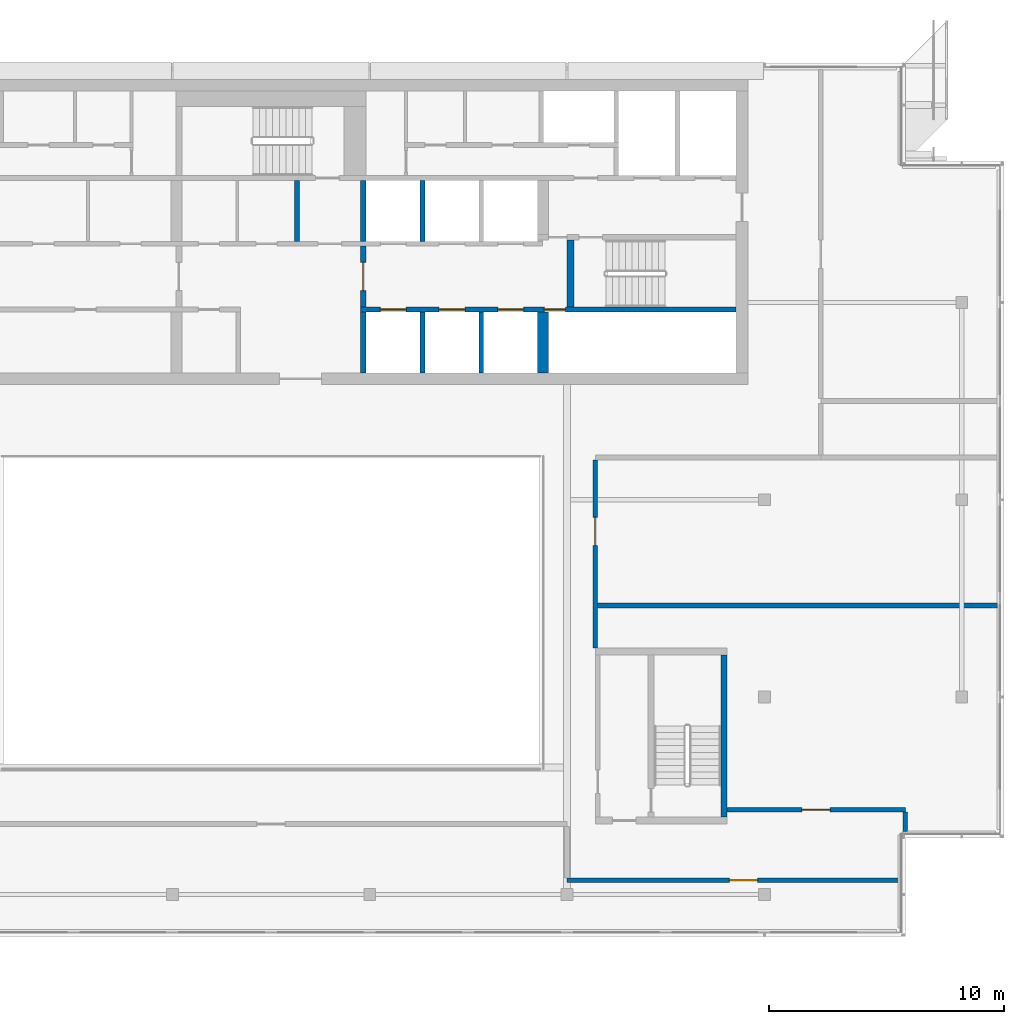
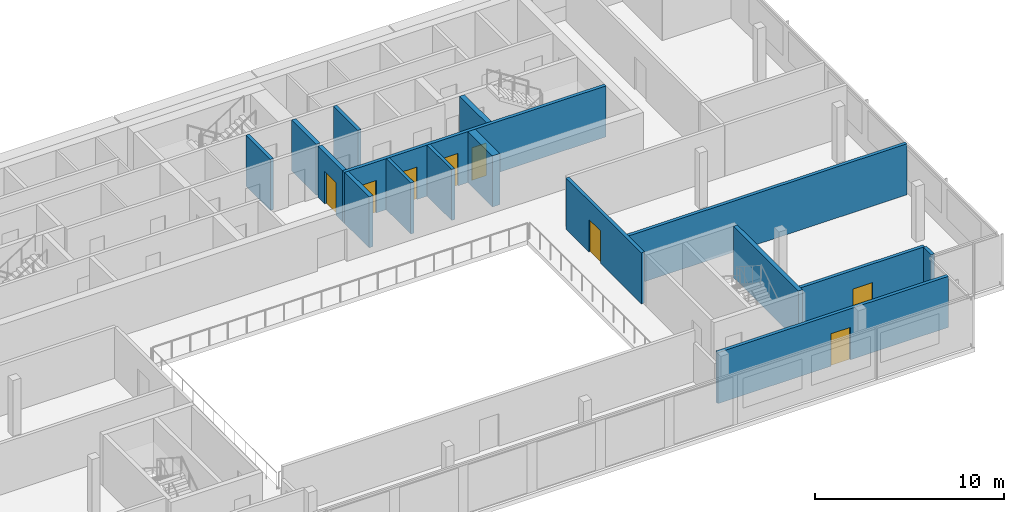
# One storey, part 13 of 19: 16 walls, 8 doors, 8 openings.
"""IFC4 building model written with IfcOpenShell, lengths in metres."""

from ifc_helpers import new_model, si_unit, direction, frame, frame_2d, origin, place, context, subcontext, project, spatial, rectangle, extrude, material, layer, layer_set, type_object, element, fill, save


model = new_model("IFC4")

# Units and contexts
model_context = context("Model", 3, precision=1e-05, world=origin(), true_north=direction((0.0, 1.0)))
body_context = subcontext(model_context, "Body", "Model", "MODEL_VIEW")
ifc_project = project(units=[si_unit("LENGTHUNIT", "METRE"), si_unit("AREAUNIT", "SQUARE_METRE"), si_unit("VOLUMEUNIT", "CUBIC_METRE"), si_unit("PLANEANGLEUNIT", "RADIAN"), si_unit("MASSUNIT", "GRAM", prefix="KILO")], contexts=[model_context])

# Site, building, storey
site_placement = place(None, origin())
site = spatial("IfcSite", under=ifc_project, at=site_placement, CompositionType="ELEMENT")
building_placement = place(site_placement, origin())
building = spatial("IfcBuilding", under=site, at=building_placement, Name="Saffron Gate Tower", CompositionType="ELEMENT")
storey_placement = place(building_placement, frame((0.0, 0.0, 306.75)))
storey = spatial("IfcBuildingStorey", under=building, at=storey_placement, Name="L75", CompositionType="ELEMENT", Elevation=306.75)

# Walls
ifc_material_1 = material(Name="Gypsum board partition on steel studs", Category="steel")
ifc_layer_1 = layer(ifc_material_1, 0.199951171875)
ifc_layer_set_1 = layer_set([ifc_layer_1], Name="CW10 Core partition 200")
wall_type_1 = type_object("IfcWallType", Name="CW10 Core partition 200", PredefinedType="PARTITIONING", material=ifc_layer_set_1)
wall_1_placement = place(storey_placement, frame((88.699951171875, 68.0, 0.0), z_axis=(0.0, 0.0, 1.0), x_axis=(0.0, 1.0, 0.0)))
element("IfcWall", 1, at=wall_1_placement, inside=storey, type_object=wall_type_1, Name="Wall CW10-L75-22", PredefinedType="PARTITIONING", context=body_context, shape_type="SweptSolid", body=[
    extrude(rectangle(XDim=2.60009765625, YDim=0.199951171875, at=frame_2d((1.300048828125, 0.0))), origin(), (0.0, 0.0, 1.0), 3.300048828125),
])
ifc_material_2 = material(Name="Concrete C50", Category="concrete")
ifc_layer_2 = layer(ifc_material_2, 0.25)
ifc_layer_set_2 = layer_set([ifc_layer_2], Name="CW23 RC core wall 250 C50")
wall_type_2 = type_object("IfcWallType", Name="CW23 RC core wall 250 C50", PredefinedType="SOLIDWALL", material=ifc_layer_set_2)
wall_2_placement = place(storey_placement, frame((91.52490234375, 62.39990234375, 0.0), z_axis=(0.0, 0.0, 1.0), x_axis=(0.0, 1.0, 0.0)))
element("IfcWall", 2, at=wall_2_placement, inside=storey, type_object=wall_type_2, Name="Wall CW23-L75-8", PredefinedType="SOLIDWALL", context=body_context, shape_type="SweptSolid", body=[
    extrude(rectangle(XDim=2.60009765625, YDim=0.25, at=frame_2d((1.300048828125, 0.0))), origin(), (0.0, 0.0, 1.0), 3.300048828125),
])

# Wall, opening, door
wall_3_placement = place(storey_placement, frame((91.52490234375, 65.199951171875, 0.0), z_axis=(0.0, 0.0, 1.0), x_axis=(0.0, 1.0, 0.0)))
wall_3 = element("IfcWall", 3, at=wall_3_placement, inside=storey, type_object=wall_type_2, Name="Wall CW23-L75-16", PredefinedType="SOLIDWALL", context=body_context, shape_type="SweptSolid", body=[
    extrude(rectangle(XDim=2.60009765625, YDim=0.25, at=frame_2d((1.300048828125, 0.0))), origin(), (0.0, 0.0, 1.0), 3.300048828125),
])
opening_1_placement = place(wall_3_placement, frame((0.699951171875, 0.0, 0.0)))
opening_1 = element("IfcOpeningElement", 4, at=opening_1_placement, cuts=wall_3, Name="Opening CR-01", PredefinedType="OPENING", context=body_context, shape_type="SweptSolid", body=[
    extrude(rectangle(XDim=1.199951171875, YDim=2.10009765625, at=frame_2d((0.60009765625, 1.050048828125))), frame((0.0, 0.135009765625, 0.0), z_axis=(0.0, -1.0, 0.0), x_axis=(1.0, 0.0, 0.0)), (0.0, 0.0, 1.0), 0.27001953125),
])
ifc_material_3 = material(Name="Steel fire door set", Category="steel")
door_type_1 = type_object("IfcDoorType", Name="CD3 Lobby door 1200x2100 EI 120", OperationType="NOTDEFINED", PredefinedType="DOOR", material=ifc_material_3)
door_1_placement = place(opening_1_placement, origin())
door_1 = element("IfcDoor", 5, at=door_1_placement, inside=storey, type_object=door_type_1, Name="DOOR CR-01", OperationType="SINGLE_SWING_RIGHT", OverallHeight=2.10009765625, OverallWidth=1.199951171875, PredefinedType="DOOR", context=body_context, shape_type="SweptSolid", body=[
    extrude(rectangle(XDim=1.199951171875, YDim=2.10009765625, at=frame_2d((0.60009765625, 1.050048828125))), frame((0.0, 0.02490234375, 0.0), z_axis=(0.0, -1.0, 0.0), x_axis=(1.0, 0.0, 0.0)), (0.0, 0.0, 1.0), 0.050048828125),
])
fill(opening_1, door_1)

# Walls
wall_4_placement = place(storey_placement, frame((91.52490234375, 68.0, 0.0), z_axis=(0.0, 0.0, 1.0), x_axis=(0.0, 1.0, 0.0)))
element("IfcWall", 6, at=wall_4_placement, inside=storey, type_object=wall_type_2, Name="Wall CW23-L75-23", PredefinedType="SOLIDWALL", context=body_context, shape_type="SweptSolid", body=[
    extrude(rectangle(XDim=2.60009765625, YDim=0.25, at=frame_2d((1.300048828125, 0.0))), origin(), (0.0, 0.0, 1.0), 3.300048828125),
])
wall_5_placement = place(storey_placement, frame((106.875, 43.5, 0.0), z_axis=(0.0, 0.0, 1.0), x_axis=(0.0, 1.0, 0.0)))
element("IfcWall", 7, at=wall_5_placement, inside=storey, type_object=wall_type_2, Name="Wall CW23-L75-E-4", PredefinedType="SOLIDWALL", context=body_context, shape_type="SweptSolid", body=[
    extrude(rectangle(XDim=6.89990234375, YDim=0.25, at=frame_2d((3.449951171875, 0.0))), origin(), (0.0, 0.0, 1.0), 3.300048828125),
])
ifc_layer_3 = layer(ifc_material_2, 0.449951171875)
ifc_layer_set_3 = layer_set([ifc_layer_3], Name="CW24 RC core wall 450 C50")
wall_type_3 = type_object("IfcWallType", Name="CW24 RC core wall 450 C50", PredefinedType="SOLIDWALL", material=ifc_layer_set_3)
wall_6_placement = place(storey_placement, frame((99.175048828125, 62.39990234375, 0.0), z_axis=(0.0, 0.0, 1.0), x_axis=(0.0, 1.0, 0.0)))
element("IfcWall", 8, at=wall_6_placement, inside=storey, type_object=wall_type_3, Name="Wall CW24-L75-11", PredefinedType="SOLIDWALL", context=body_context, shape_type="SweptSolid", body=[
    extrude(rectangle(XDim=2.60009765625, YDim=0.449951171875, at=frame_2d((1.300048828125, 0.0))), origin(), (0.0, 0.0, 1.0), 3.300048828125),
])
ifc_layer_4 = layer(ifc_material_2, 0.199951171875)
ifc_layer_set_4 = layer_set([ifc_layer_4], Name="CW25 RC core wall 200 C50")
wall_type_4 = type_object("IfcWallType", Name="CW25 RC core wall 200 C50", PredefinedType="SOLIDWALL", material=ifc_layer_set_4)
for number, where, z_axis, x_axis, name in (
    (9, (94.050048828125, 62.39990234375, 0.0), (0.0, 0.0, 1.0), (0.0, 1.0, 0.0), "Wall CW25-L75-9"),
    (10, (96.550048828125, 62.39990234375, 0.0), (0.0, 0.0, 1.0), (0.0, 1.0, 0.0), "Wall CW25-L75-10"),
):
    element("IfcWall", number, at=place(storey_placement, frame(where, z_axis=z_axis, x_axis=x_axis)), inside=storey, type_object=wall_type_4, Name=name, PredefinedType="SOLIDWALL", context=body_context, shape_type="SweptSolid", body=[
        extrude(rectangle(XDim=2.60009765625, YDim=0.199951171875, at=frame_2d((1.300048828125, 0.0))), origin(), (0.0, 0.0, 1.0), 3.300048828125),
    ])

# Wall, openings, doors
wall_7_placement = place(storey_placement, frame((91.39990234375, 65.10009765625, 0.0), z_axis=(0.0, 0.0, 1.0), x_axis=(1.0, 0.0, 0.0)))
wall_7 = element("IfcWall", 11, at=wall_7_placement, inside=storey, type_object=wall_type_4, Name="Wall CW25-L75-13", PredefinedType="SOLIDWALL", context=body_context, shape_type="SweptSolid", body=[
    extrude(rectangle(XDim=16.0, YDim=0.199951171875, at=frame_2d((8.0, 0.0))), origin(), (0.0, 0.0, 1.0), 3.300048828125),
])
opening_2_placement = place(wall_7_placement, frame((0.85009765625, 0.0, 0.0)))
opening_2 = element("IfcOpeningElement", 12, at=opening_2_placement, cuts=wall_7, Name="Opening LD-HR1", PredefinedType="OPENING", context=body_context, shape_type="SweptSolid", body=[
    extrude(rectangle(XDim=1.10009765625, YDim=2.10009765625, at=frame_2d((0.550048828125, 1.050048828125))), frame((0.0, 0.10986328125, 0.0), z_axis=(0.0, -1.0, 0.0), x_axis=(1.0, 0.0, 0.0)), (0.0, 0.0, 1.0), 0.219970703125),
])
opening_3_placement = place(wall_7_placement, frame((3.35009765625, 0.0, 0.0)))
opening_3 = element("IfcOpeningElement", 13, at=opening_3_placement, cuts=wall_7, Name="Opening LD-HR2", PredefinedType="OPENING", context=body_context, shape_type="SweptSolid", body=[
    extrude(rectangle(XDim=1.10009765625, YDim=2.10009765625, at=frame_2d((0.550048828125, 1.050048828125))), frame((0.0, 0.10986328125, 0.0), z_axis=(0.0, -1.0, 0.0), x_axis=(1.0, 0.0, 0.0)), (0.0, 0.0, 1.0), 0.219970703125),
])
opening_4_placement = place(wall_7_placement, frame((5.85009765625, 0.0, 0.0)))
opening_4 = element("IfcOpeningElement", 14, at=opening_4_placement, cuts=wall_7, Name="Opening LD-HR3", PredefinedType="OPENING", context=body_context, shape_type="SweptSolid", body=[
    extrude(rectangle(XDim=1.10009765625, YDim=2.10009765625, at=frame_2d((0.550048828125, 1.050048828125))), frame((0.0, 0.10986328125, 0.0), z_axis=(0.0, -1.0, 0.0), x_axis=(1.0, 0.0, 0.0)), (0.0, 0.0, 1.0), 0.219970703125),
])
opening_5_placement = place(wall_7_placement, frame((7.830078125, 0.0, 0.0)))
opening_5 = element("IfcOpeningElement", 15, at=opening_5_placement, cuts=wall_7, Name="Opening CR-48", PredefinedType="OPENING", context=body_context, shape_type="SweptSolid", body=[
    extrude(rectangle(XDim=0.89990234375, YDim=2.10009765625, at=frame_2d((0.449951171875, 1.050048828125))), frame((0.0, 0.10986328125, 0.0), z_axis=(0.0, -1.0, 0.0), x_axis=(1.0, 0.0, 0.0)), (0.0, 0.0, 1.0), 0.219970703125),
])
door_type_2 = type_object("IfcDoorType", Name="CD2 Riser door 900x2100 EI 60", OperationType="NOTDEFINED", PredefinedType="DOOR", material=ifc_material_3)
door_2_placement = place(opening_5_placement, origin())
door_2 = element("IfcDoor", 16, at=door_2_placement, inside=storey, type_object=door_type_2, Name="DOOR CR-48", OperationType="SINGLE_SWING_RIGHT", OverallHeight=2.10009765625, OverallWidth=0.89990234375, PredefinedType="DOOR", context=body_context, shape_type="SweptSolid", body=[
    extrude(rectangle(XDim=0.89990234375, YDim=2.10009765625, at=frame_2d((0.449951171875, 1.050048828125))), frame((0.0, 0.02490234375, 0.0), z_axis=(0.0, -1.0, 0.0), x_axis=(1.0, 0.0, 0.0)), (0.0, 0.0, 1.0), 0.050048828125),
])
fill(opening_5, door_2)
ifc_material_4 = material(Name="Stainless steel landing door", Category="steel")
door_type_3 = type_object("IfcDoorType", Name="LD Lift landing door 1100x2100 EI 120", OperationType="SLIDING_TO_LEFT", PredefinedType="DOOR", material=ifc_material_4)
door_3_placement = place(opening_2_placement, origin())
door_3 = element("IfcDoor", 17, at=door_3_placement, inside=storey, type_object=door_type_3, Name="LANDING DOOR LD-HR1", OperationType="SLIDING_TO_LEFT", OverallHeight=2.10009765625, OverallWidth=1.10009765625, PredefinedType="DOOR", context=body_context, shape_type="SweptSolid", body=[
    extrude(rectangle(XDim=1.10009765625, YDim=2.10009765625, at=frame_2d((0.550048828125, 1.050048828125))), frame((0.0, 0.02490234375, 0.0), z_axis=(0.0, -1.0, 0.0), x_axis=(1.0, 0.0, 0.0)), (0.0, 0.0, 1.0), 0.050048828125),
])
fill(opening_2, door_3)
door_4_placement = place(opening_3_placement, origin())
door_4 = element("IfcDoor", 18, at=door_4_placement, inside=storey, type_object=door_type_3, Name="LANDING DOOR LD-HR2", OperationType="SLIDING_TO_LEFT", OverallHeight=2.10009765625, OverallWidth=1.10009765625, PredefinedType="DOOR", context=body_context, shape_type="SweptSolid", body=[
    extrude(rectangle(XDim=1.10009765625, YDim=2.10009765625, at=frame_2d((0.550048828125, 1.050048828125))), frame((0.0, 0.02490234375, 0.0), z_axis=(0.0, -1.0, 0.0), x_axis=(1.0, 0.0, 0.0)), (0.0, 0.0, 1.0), 0.050048828125),
])
fill(opening_3, door_4)
door_5_placement = place(opening_4_placement, origin())
door_5 = element("IfcDoor", 19, at=door_5_placement, inside=storey, type_object=door_type_3, Name="LANDING DOOR LD-HR3", OperationType="SLIDING_TO_LEFT", OverallHeight=2.10009765625, OverallWidth=1.10009765625, PredefinedType="DOOR", context=body_context, shape_type="SweptSolid", body=[
    extrude(rectangle(XDim=1.10009765625, YDim=2.10009765625, at=frame_2d((0.550048828125, 1.050048828125))), frame((0.0, 0.02490234375, 0.0), z_axis=(0.0, -1.0, 0.0), x_axis=(1.0, 0.0, 0.0)), (0.0, 0.0, 1.0), 0.050048828125),
])
fill(opening_4, door_5)

# Walls
wall_8_placement = place(storey_placement, frame((94.050048828125, 68.0, 0.0), z_axis=(0.0, 0.0, 1.0), x_axis=(0.0, 1.0, 0.0)))
element("IfcWall", 20, at=wall_8_placement, inside=storey, type_object=wall_type_4, Name="Wall CW25-L75-24", PredefinedType="SOLIDWALL", context=body_context, shape_type="SweptSolid", body=[
    extrude(rectangle(XDim=2.60009765625, YDim=0.199951171875, at=frame_2d((1.300048828125, 0.0))), origin(), (0.0, 0.0, 1.0), 3.300048828125),
])
ifc_layer_5 = layer(ifc_material_2, 0.300048828125)
ifc_layer_set_5 = layer_set([ifc_layer_5], Name="CW26 RC core wall 300 C50")
wall_type_5 = type_object("IfcWallType", Name="CW26 RC core wall 300 C50", PredefinedType="SOLIDWALL", material=ifc_layer_set_5)
wall_9_placement = place(storey_placement, frame((100.35009765625, 65.199951171875, 0.0), z_axis=(0.0, 0.0, 1.0), x_axis=(0.0, 1.0, 0.0)))
element("IfcWall", 21, at=wall_9_placement, inside=storey, type_object=wall_type_5, Name="Wall CW26-L75-17", PredefinedType="SOLIDWALL", context=body_context, shape_type="SweptSolid", body=[
    extrude(rectangle(XDim=2.85009765625, YDim=0.300048828125, at=frame_2d((1.425048828125, 0.0))), origin(), (0.0, 0.0, 1.0), 3.300048828125),
])

# Wall, opening, door
ifc_material_5 = material(Name="Clay brick masonry, rendered", Category="masonry")
ifc_layer_6 = layer(ifc_material_5, 0.199951171875)
ifc_layer_set_6 = layer_set([ifc_layer_6], Name="PW3 Corridor wall 200")
wall_type_6 = type_object("IfcWallType", Name="PW3 Corridor wall 200", PredefinedType="PARTITIONING", material=ifc_layer_set_6)
wall_10_placement = place(storey_placement, frame((114.320068359375, 40.800048828125, 0.0), z_axis=(0.0, 0.0, 1.0), x_axis=(-1.0, 0.0, 0.0)))
wall_10 = element("IfcWall", 22, at=wall_10_placement, inside=storey, type_object=wall_type_6, Name="Wall E6-2", PredefinedType="PARTITIONING", context=body_context, shape_type="SweptSolid", body=[
    extrude(rectangle(XDim=14.1201171875, YDim=0.199951171875, at=frame_2d((7.06005859375, 0.0))), origin(), (0.0, 0.0, 1.0), 3.300048828125),
])
opening_6_placement = place(wall_10_placement, frame((6.010009765625, 0.0, 0.0)))
opening_6 = element("IfcOpeningElement", 23, at=opening_6_placement, cuts=wall_10, Name="Opening E6-6", PredefinedType="OPENING", context=body_context, shape_type="SweptSolid", body=[
    extrude(rectangle(XDim=1.199951171875, YDim=2.10009765625, at=frame_2d((0.60009765625, 1.050048828125))), frame((0.0, 0.10986328125, 0.0), z_axis=(0.0, -1.0, 0.0), x_axis=(1.0, 0.0, 0.0)), (0.0, 0.0, 1.0), 0.219970703125),
])
ifc_material_6 = material(Name="Timber door set", Category="wood")
door_type_4 = type_object("IfcDoorType", Name="HD1 Hall door 1200x2100", OperationType="NOTDEFINED", PredefinedType="DOOR", material=ifc_material_6)
door_6_placement = place(opening_6_placement, origin())
door_6 = element("IfcDoor", 24, at=door_6_placement, inside=storey, type_object=door_type_4, Name="Door E6-6", OperationType="SINGLE_SWING_RIGHT", OverallHeight=2.10009765625, OverallWidth=1.199951171875, PredefinedType="DOOR", context=body_context, shape_type="SweptSolid", body=[
    extrude(rectangle(XDim=1.199951171875, YDim=2.10009765625, at=frame_2d((0.60009765625, 1.050048828125))), frame((0.0, 0.02490234375, 0.0), z_axis=(0.0, -1.0, 0.0), x_axis=(1.0, 0.0, 0.0)), (0.0, 0.0, 1.0), 0.050048828125),
])
fill(opening_6, door_6)

wall_11_placement = place(storey_placement, frame((107.0, 43.800048828125, 0.0), z_axis=(0.0, 0.0, 1.0), x_axis=(1.0, 0.0, 0.0)))
wall_11 = element("IfcWall", 25, at=wall_11_placement, inside=storey, type_object=wall_type_6, Name="Wall E6-5", PredefinedType="PARTITIONING", context=body_context, shape_type="SweptSolid", body=[
    extrude(rectangle(XDim=7.60009765625, YDim=0.199951171875, at=frame_2d((3.800048828125, 0.0))), origin(), (0.0, 0.0, 1.0), 3.300048828125),
])
opening_7_placement = place(wall_11_placement, frame((3.199951171875, 0.0, 0.0)))
opening_7 = element("IfcOpeningElement", 26, at=opening_7_placement, cuts=wall_11, Name="Opening E6-5", PredefinedType="OPENING", context=body_context, shape_type="SweptSolid", body=[
    extrude(rectangle(XDim=1.199951171875, YDim=2.10009765625, at=frame_2d((0.60009765625, 1.050048828125))), frame((0.0, 0.10986328125, 0.0), z_axis=(0.0, -1.0, 0.0), x_axis=(1.0, 0.0, 0.0)), (0.0, 0.0, 1.0), 0.219970703125),
])
door_7_placement = place(opening_7_placement, origin())
door_7 = element("IfcDoor", 27, at=door_7_placement, inside=storey, type_object=door_type_4, Name="Door E6-5", OperationType="SINGLE_SWING_LEFT", OverallHeight=2.10009765625, OverallWidth=1.199951171875, PredefinedType="DOOR", context=body_context, shape_type="SweptSolid", body=[
    extrude(rectangle(XDim=1.199951171875, YDim=2.10009765625, at=frame_2d((0.60009765625, 1.050048828125))), frame((0.0, 0.02490234375, 0.0), z_axis=(0.0, -1.0, 0.0), x_axis=(1.0, 0.0, 0.0)), (0.0, 0.0, 1.0), 0.050048828125),
])
fill(opening_7, door_7)

wall_12_placement = place(storey_placement, frame((101.39990234375, 58.699951171875, 0.0), z_axis=(0.0, 0.0, 1.0), x_axis=(0.0, -1.0, 0.0)))
wall_12 = element("IfcWall", 28, at=wall_12_placement, inside=storey, type_object=wall_type_6, Name="Wall E6-20", PredefinedType="PARTITIONING", context=body_context, shape_type="SweptSolid", body=[
    extrude(rectangle(XDim=8.0, YDim=0.199951171875, at=frame_2d((4.0, 0.0))), origin(), (0.0, 0.0, 1.0), 3.300048828125),
])
opening_8_placement = place(wall_12_placement, frame((2.449951171875, 0.0, 0.0)))
opening_8 = element("IfcOpeningElement", 29, at=opening_8_placement, cuts=wall_12, Name="Opening E6-3", PredefinedType="OPENING", context=body_context, shape_type="SweptSolid", body=[
    extrude(rectangle(XDim=1.199951171875, YDim=2.10009765625, at=frame_2d((0.60009765625, 1.050048828125))), frame((0.0, 0.10986328125, 0.0), z_axis=(0.0, -1.0, 0.0), x_axis=(1.0, 0.0, 0.0)), (0.0, 0.0, 1.0), 0.219970703125),
])
door_8_placement = place(opening_8_placement, origin())
door_8 = element("IfcDoor", 30, at=door_8_placement, inside=storey, type_object=door_type_4, Name="Door E6-3", OperationType="SINGLE_SWING_LEFT", OverallHeight=2.10009765625, OverallWidth=1.199951171875, PredefinedType="DOOR", context=body_context, shape_type="SweptSolid", body=[
    extrude(rectangle(XDim=1.199951171875, YDim=2.10009765625, at=frame_2d((0.60009765625, 1.050048828125))), frame((0.0, 0.02490234375, 0.0), z_axis=(0.0, -1.0, 0.0), x_axis=(1.0, 0.0, 0.0)), (0.0, 0.0, 1.0), 0.050048828125),
])
fill(opening_8, door_8)

# Walls
wall_13_placement = place(storey_placement, frame((114.60009765625, 43.699951171875, 0.0), z_axis=(0.0, 0.0, 1.0), x_axis=(0.0, -1.0, 0.0)))
element("IfcWall", 31, at=wall_13_placement, inside=storey, type_object=wall_type_6, Name="Wall E6-23", PredefinedType="PARTITIONING", context=body_context, shape_type="SweptSolid", body=[
    extrude(rectangle(XDim=0.820068359375, YDim=0.199951171875, at=frame_2d((0.41015625, 0.0))), origin(), (0.0, 0.0, 1.0), 3.300048828125),
])
ifc_layer_7 = layer(ifc_material_5, 0.199951171875)
ifc_layer_set_7 = layer_set([ifc_layer_7], Name="PW5 Room wall 200")
wall_type_7 = type_object("IfcWallType", Name="PW5 Room wall 200", PredefinedType="PARTITIONING", material=ifc_layer_set_7)
wall_14_placement = place(storey_placement, frame((101.5, 52.5, 0.0), z_axis=(0.0, 0.0, 1.0), x_axis=(1.0, 0.0, 0.0)))
element("IfcWall", 32, at=wall_14_placement, inside=storey, type_object=wall_type_7, Name="Wall E6-7", PredefinedType="PARTITIONING", context=body_context, shape_type="SweptSolid", body=[
    extrude(rectangle(XDim=17.02001953125, YDim=0.199951171875, at=frame_2d((8.510009765625, 0.0))), origin(), (0.0, 0.0, 1.0), 3.300048828125),
])

save(model, "model.ifc")
